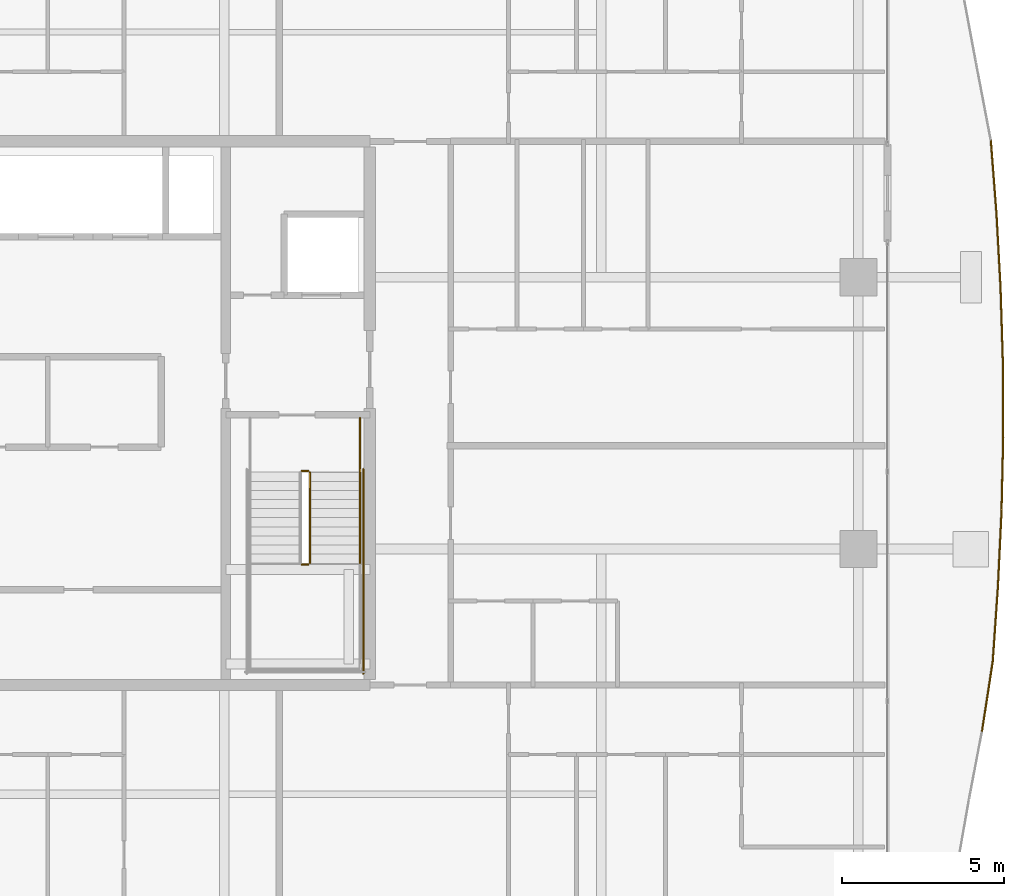
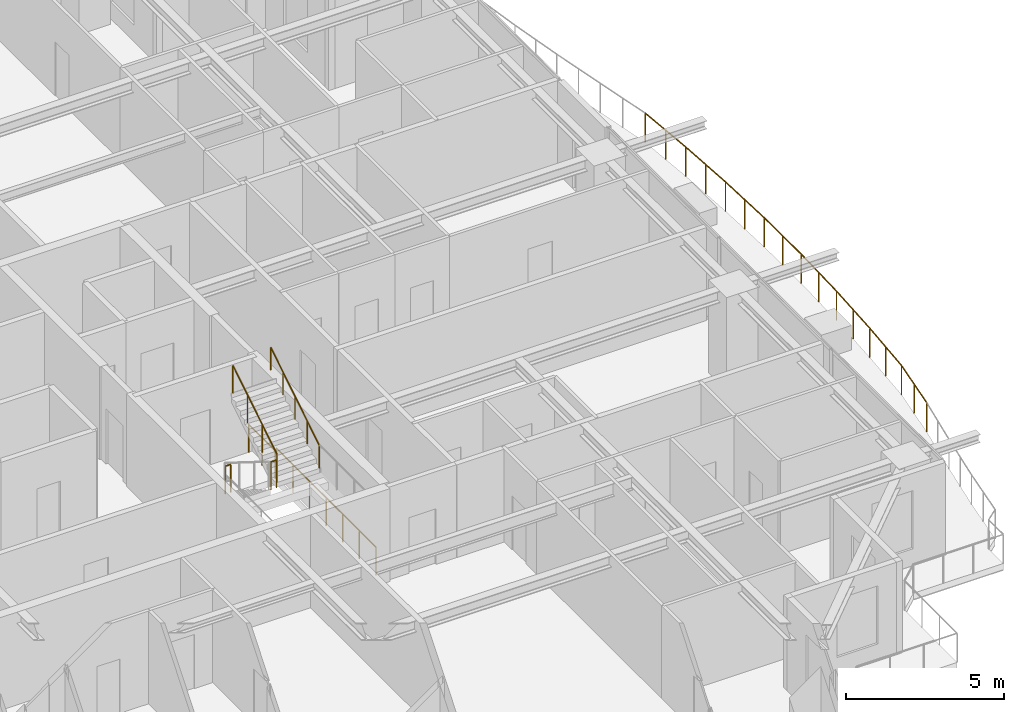
# One storey, part 37 of 38: 7 railings.
"""IFC4 building model written with IfcOpenShell, lengths in metres."""

from ifc_helpers import new_model, si_unit, direction, frame, origin, origin_2d, place, context, subcontext, project, spatial, circle, extrude, material, type_object, element, save


model = new_model("IFC4")

# Units and contexts
model_context = context("Model", 3, precision=1e-05, world=origin(), true_north=direction((0.0, 1.0)))
body_context = subcontext(model_context, "Body", "Model", "MODEL_VIEW")
ifc_project = project(units=[si_unit("LENGTHUNIT", "METRE"), si_unit("AREAUNIT", "SQUARE_METRE"), si_unit("VOLUMEUNIT", "CUBIC_METRE"), si_unit("PLANEANGLEUNIT", "RADIAN"), si_unit("MASSUNIT", "GRAM", prefix="KILO")], contexts=[model_context])

# Site, building, storey
site_placement = place(None, origin())
site = spatial("IfcSite", under=ifc_project, at=site_placement, CompositionType="ELEMENT")
building_placement = place(site_placement, origin())
building = spatial("IfcBuilding", under=site, at=building_placement, Name="Serunith Strait Residences", CompositionType="ELEMENT")
storey_placement = place(building_placement, frame((0.0, 0.0, 245.10009765625)))
storey = spatial("IfcBuildingStorey", under=building, at=storey_placement, Name="L61", CompositionType="ELEMENT", Elevation=245.10009765625)

# Railings
ifc_material_1 = material(Name="Stainless Steel & Laminated Glass Balustrade", Category="steel")
railing_type_1 = type_object("IfcRailingType", Name="RLG-BALC-1150", PredefinedType="BALUSTRADE", material=ifc_material_1)
railing_1_placement = place(storey_placement, frame((60.59130859375, 33.657470703125, -0.050048828125)))
element("IfcRailing", 1, at=railing_1_placement, inside=storey, type_object=railing_type_1, Name="L61 Swirling Balcony Perimeter Balustrade 4", PredefinedType="BALUSTRADE", context=body_context, shape_type="SweptSolid", body=[
    extrude(circle(Radius=0.02392578125, at=origin_2d()), frame((0.000244140625, -0.001953125, 1.1259765625), z_axis=(0.07718975518, -0.997016419973, 0.0), x_axis=(0.997016419973, 0.07718975518, 0.0)), (0.0, 0.0, 1.0), 2.266845703125),
    extrude(circle(Radius=0.02392578125, at=origin_2d()), frame((0.17529296875, -2.26611328125, 1.1259765625), z_axis=(0.055240995992, -0.998473050393, 0.0), x_axis=(0.998473050393, 0.055240995992, 0.0)), (0.0, 0.0, 1.0), 2.298583984375),
    extrude(circle(Radius=0.02392578125, at=origin_2d()), frame((0.302490234375, -4.565185546875, 1.1259765625), z_axis=(0.031090469321, -0.999516574509, 0.0), x_axis=(0.999516574509, 0.031090469321, 0.0)), (0.0, 0.0, 1.0), 2.3203125),
    extrude(circle(Radius=0.02392578125, at=origin_2d()), frame((0.374755859375, -6.888427734375, 1.1259765625), z_axis=(0.00418581515, -0.999991239437, 0.0), x_axis=(0.999991239437, 0.00418581515, 0.0)), (0.0, 0.0, 1.0), 2.3291015625),
    extrude(circle(Radius=0.02392578125, at=origin_2d()), frame((0.384521484375, -9.221435546875, 1.1259765625), z_axis=(-0.023066750285, -0.999733927118, 0.0), x_axis=(0.999733927118, -0.023066750285, 0.0)), (0.0, 0.0, 1.0), 2.324462890625),
    extrude(circle(Radius=0.02392578125, at=origin_2d()), frame((0.330810546875, -11.54931640625, 1.1259765625), z_axis=(-0.048177542556, -0.99883878799, 0.0), x_axis=(0.99883878799, -0.048177542556, 0.0)), (0.0, 0.0, 1.0), 2.306884765625),
    extrude(circle(Radius=0.02392578125, at=origin_2d()), frame((0.21923828125, -13.857421875, 1.1259765625), z_axis=(-0.069415087753, -0.997587863595, 0.0), x_axis=(0.997587863595, -0.069415087753, 0.0)), (0.0, 0.0, 1.0), 2.278564453125),
    extrude(circle(Radius=0.02392578125, at=origin_2d()), frame((0.060791015625, -16.134521484375, 1.1259765625), z_axis=(-0.15194118492, -0.988389536734, 0.0), x_axis=(0.988389536734, -0.15194118492, 0.0)), (0.0, 0.0, 1.0), 2.210205078125),
    extrude(circle(Radius=0.02099609375, at=origin_2d()), origin(), (0.0, 0.0, 1.0), 1.099853515625),
    extrude(circle(Radius=0.02099609375, at=origin_2d()), frame((0.087646484375, -1.132080078125, 0.0)), (0.0, 0.0, 1.0), 1.099853515625),
    extrude(circle(Radius=0.02099609375, at=origin_2d()), frame((0.17529296875, -2.26416015625, 0.0)), (0.0, 0.0, 1.0), 1.099853515625),
    extrude(circle(Radius=0.02099609375, at=origin_2d()), frame((0.23876953125, -3.41357421875, 0.0)), (0.0, 0.0, 1.0), 1.099853515625),
    extrude(circle(Radius=0.02099609375, at=origin_2d()), frame((0.302490234375, -4.563232421875, 0.0)), (0.0, 0.0, 1.0), 1.099853515625),
    extrude(circle(Radius=0.02099609375, at=origin_2d()), frame((0.338623046875, -5.724853515625, 0.0)), (0.0, 0.0, 1.0), 1.099853515625),
    extrude(circle(Radius=0.02099609375, at=origin_2d()), frame((0.374755859375, -6.886474609375, 0.0)), (0.0, 0.0, 1.0), 1.099853515625),
    extrude(circle(Radius=0.02099609375, at=origin_2d()), frame((0.379638671875, -8.052978515625, 0.0)), (0.0, 0.0, 1.0), 1.099853515625),
    extrude(circle(Radius=0.02099609375, at=origin_2d()), frame((0.384521484375, -9.219482421875, 0.0)), (0.0, 0.0, 1.0), 1.099853515625),
    extrude(circle(Radius=0.02099609375, at=origin_2d()), frame((0.357666015625, -10.38330078125, 0.0)), (0.0, 0.0, 1.0), 1.099853515625),
    extrude(circle(Radius=0.02099609375, at=origin_2d()), frame((0.330810546875, -11.54736328125, 0.0)), (0.0, 0.0, 1.0), 1.099853515625),
    extrude(circle(Radius=0.02099609375, at=origin_2d()), frame((0.275146484375, -12.701416015625, 0.0)), (0.0, 0.0, 1.0), 1.099853515625),
    extrude(circle(Radius=0.02099609375, at=origin_2d()), frame((0.219482421875, -13.85546875, 0.0)), (0.0, 0.0, 1.0), 1.099853515625),
    extrude(circle(Radius=0.02099609375, at=origin_2d()), frame((0.14013671875, -14.994140625, 0.0)), (0.0, 0.0, 1.0), 1.099853515625),
    extrude(circle(Radius=0.02099609375, at=origin_2d()), frame((0.06103515625, -16.132568359375, 0.0)), (0.0, 0.0, 1.0), 1.099853515625),
    extrude(circle(Radius=0.02099609375, at=origin_2d()), frame((-0.107177734375, -17.226806640625, 0.0)), (0.0, 0.0, 1.0), 1.099853515625),
    extrude(circle(Radius=0.02099609375, at=origin_2d()), frame((-0.275390625, -18.321044921875, 0.0)), (0.0, 0.0, 1.0), 1.099853515625),
])
ifc_material_2 = material(Name="Brushed stainless steel 316L", Category="steel")
railing_type_2 = type_object("IfcRailingType", Name="RLG-STAIR-GUARD", PredefinedType="BALUSTRADE", material=ifc_material_2)
railing_2_placement = place(storey_placement, frame((39.300048828125, 20.52001953125, 1.9248046875)))
element("IfcRailing", 2, at=railing_2_placement, inside=storey, type_object=railing_type_2, Name="L61 ST-2 stair guard 2", PredefinedType="BALUSTRADE", context=body_context, shape_type="SweptSolid", body=[
    extrude(circle(Radius=0.02392578125, at=origin_2d()), frame((0.001953125, 0.0, 1.076171875), z_axis=(1.0, 0.0, 0.0), x_axis=(0.0, 1.0, 0.0)), (0.0, 0.0, 1.0), 0.196044921875),
    extrude(circle(Radius=0.02099609375, at=origin_2d()), origin(), (0.0, 0.0, 1.0), 1.050048828125),
    extrude(circle(Radius=0.02099609375, at=origin_2d()), frame((0.199951171875, 0.0, 0.0)), (0.0, 0.0, 1.0), 1.050048828125),
])
railing_3_placement = place(storey_placement, frame((39.550048828125, 20.570068359375, 2.099853515625)))
element("IfcRailing", 3, at=railing_3_placement, inside=storey, type_object=railing_type_2, Name="L61 ST-2 stair guard 6", PredefinedType="BALUSTRADE", context=body_context, shape_type="SweptSolid", body=[
    extrude(circle(Radius=0.02392578125, at=origin_2d()), frame((0.0, 0.001708984375, 1.0771484375), z_axis=(0.0, 0.848002457836, 0.529992293815), x_axis=(-1.0, 0.0, 0.0)), (0.0, 0.0, 1.0), 3.2978515625),
    extrude(circle(Radius=0.02099609375, at=origin_2d()), origin(), (0.0, 0.0, 1.0), 1.050048828125),
    extrude(circle(Radius=0.02099609375, at=origin_2d()), frame((0.0, 0.933349609375, 0.583251953125)), (0.0, 0.0, 1.0), 1.050048828125),
    extrude(circle(Radius=0.02099609375, at=origin_2d()), frame((0.0, 1.86669921875, 1.166748046875)), (0.0, 0.0, 1.0), 1.050048828125),
    extrude(circle(Radius=0.02099609375, at=origin_2d()), frame((0.0, 2.800048828125, 1.75)), (0.0, 0.0, 1.0), 1.050048828125),
])
railing_4_placement = place(storey_placement, frame((39.300048828125, 23.419921875, 0.0)))
element("IfcRailing", 4, at=railing_4_placement, inside=storey, type_object=railing_type_2, Name="L61 ST-2 stair guard 7", PredefinedType="BALUSTRADE", context=body_context, shape_type="SweptSolid", body=[
    extrude(circle(Radius=0.02392578125, at=origin_2d()), frame((0.001953125, 0.0, 1.076171875), z_axis=(1.0, 0.0, 0.0), x_axis=(0.0, 1.0, 0.0)), (0.0, 0.0, 1.0), 0.196044921875),
    extrude(circle(Radius=0.02099609375, at=origin_2d()), origin(), (0.0, 0.0, 1.0), 1.050048828125),
    extrude(circle(Radius=0.02099609375, at=origin_2d()), frame((0.199951171875, 0.0, 0.0)), (0.0, 0.0, 1.0), 1.050048828125),
])
railing_5_placement = place(storey_placement, frame((41.10009765625, 25.050048828125, 0.0)))
element("IfcRailing", 5, at=railing_5_placement, inside=storey, type_object=railing_type_2, Name="L61 ST-2 stair guard 9", PredefinedType="BALUSTRADE", context=body_context, shape_type="SweptSolid", body=[
    extrude(circle(Radius=0.02392578125, at=origin_2d()), frame((0.0, -0.001953125, 1.076171875), z_axis=(0.0, -1.0, 0.0), x_axis=(1.0, 0.0, 0.0)), (0.0, 0.0, 1.0), 1.676025390625),
    extrude(circle(Radius=0.02099609375, at=origin_2d()), origin(), (0.0, 0.0, 1.0), 1.050048828125),
    extrude(circle(Radius=0.02099609375, at=origin_2d()), frame((0.0, -0.83984375, 0.0)), (0.0, 0.0, 1.0), 1.050048828125),
    extrude(circle(Radius=0.02099609375, at=origin_2d()), frame((0.0, -1.679931640625, 0.0)), (0.0, 0.0, 1.0), 1.050048828125),
])
railing_6_placement = place(storey_placement, frame((41.199951171875, 23.469970703125, 0.0)))
element("IfcRailing", 6, at=railing_6_placement, inside=storey, type_object=railing_type_2, Name="L61 ST-2 stair guard 11", PredefinedType="BALUSTRADE", context=body_context, shape_type="SweptSolid", body=[
    extrude(circle(Radius=0.02392578125, at=origin_2d()), frame((0.0, -0.001953125, 1.076171875), z_axis=(0.0, -1.0, 0.0), x_axis=(1.0, 0.0, 0.0)), (0.0, 0.0, 1.0), 6.316162109375),
    extrude(circle(Radius=0.02099609375, at=origin_2d()), origin(), (0.0, 0.0, 1.0), 1.050048828125),
    extrude(circle(Radius=0.02099609375, at=origin_2d()), frame((0.0, -1.05322265625, 0.0)), (0.0, 0.0, 1.0), 1.050048828125),
    extrude(circle(Radius=0.02099609375, at=origin_2d()), frame((0.0, -2.106689453125, 0.0)), (0.0, 0.0, 1.0), 1.050048828125),
    extrude(circle(Radius=0.02099609375, at=origin_2d()), frame((0.0, -3.16015625, 0.0)), (0.0, 0.0, 1.0), 1.050048828125),
    extrude(circle(Radius=0.02099609375, at=origin_2d()), frame((0.0, -4.21337890625, 0.0)), (0.0, 0.0, 1.0), 1.050048828125),
    extrude(circle(Radius=0.02099609375, at=origin_2d()), frame((0.0, -5.2666015625, 0.0)), (0.0, 0.0, 1.0), 1.050048828125),
    extrude(circle(Radius=0.02099609375, at=origin_2d()), frame((0.0, -6.320068359375, 0.0)), (0.0, 0.0, 1.0), 1.050048828125),
])
railing_type_3 = type_object("IfcRailingType", Name="RLG-STAIR-HR", PredefinedType="HANDRAIL", material=ifc_material_2)
railing_7_placement = place(storey_placement, frame((41.10009765625, 20.570068359375, 2.099853515625)))
element("IfcRailing", 7, at=railing_7_placement, inside=storey, type_object=railing_type_3, Name="L61 ST-2 stair handrail 2", PredefinedType="HANDRAIL", context=body_context, shape_type="SweptSolid", body=[
    extrude(circle(Radius=0.02392578125, at=origin_2d()), frame((0.0, 0.001708984375, 0.876953125), z_axis=(0.0, 0.847375056783, 0.530994833442), x_axis=(-1.0, 0.0, 0.0)), (0.0, 0.0, 1.0), 3.630615234375),
    extrude(circle(Radius=0.02099609375, at=origin_2d()), origin(), (0.0, 0.0, 1.0), 0.849853515625),
    extrude(circle(Radius=0.02099609375, at=origin_2d()), frame((0.0, 0.77001953125, 0.482421875)), (0.0, 0.0, 1.0), 0.849853515625),
    extrude(circle(Radius=0.02099609375, at=origin_2d()), frame((0.0, 1.5400390625, 0.96484375)), (0.0, 0.0, 1.0), 0.849853515625),
    extrude(circle(Radius=0.02099609375, at=origin_2d()), frame((0.0, 2.309814453125, 1.447509765625)), (0.0, 0.0, 1.0), 0.849853515625),
    extrude(circle(Radius=0.02099609375, at=origin_2d()), frame((0.0, 3.079833984375, 1.929931640625)), (0.0, 0.0, 1.0), 0.849853515625),
])

save(model, "model.ifc")
